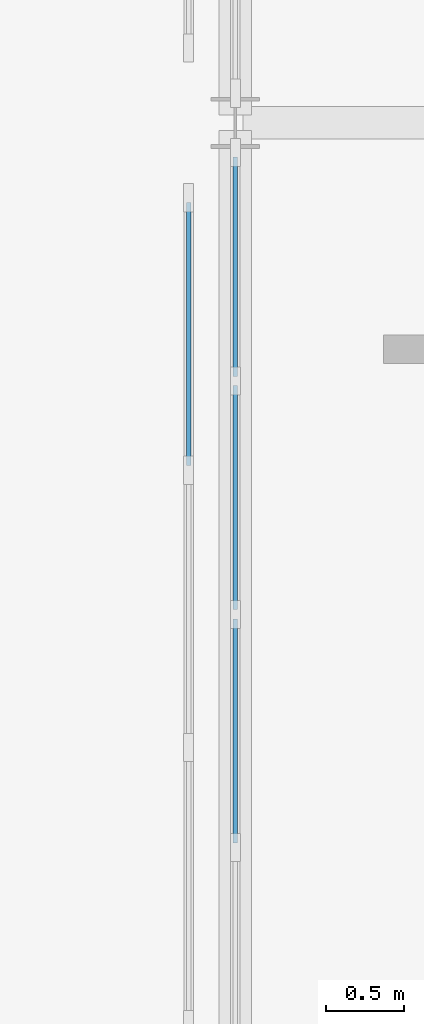
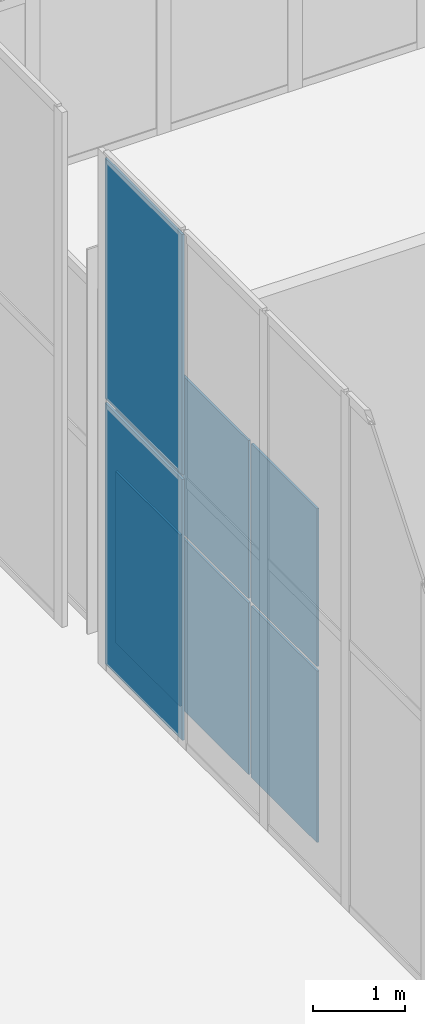
# One storey, part 67 of 103: 8 plates, 2 elements without a shape of their own.
"""IFC4 building model written with IfcOpenShell, lengths in metres."""

from ifc_helpers import new_model, si_unit, direction, frame, origin, origin_2d, place, context, subcontext, project, spatial, rectangle, extrude, material, layer, layer_set, type_object, element, aggregate, save


model = new_model("IFC4")

# Units and contexts
model_context = context("Model", 3, precision=1e-05, world=origin(), true_north=direction((0.0, 1.0)))
body_context = subcontext(model_context, "Body", "Model", "MODEL_VIEW")
ifc_project = project(units=[si_unit("LENGTHUNIT", "METRE"), si_unit("AREAUNIT", "SQUARE_METRE"), si_unit("VOLUMEUNIT", "CUBIC_METRE"), si_unit("PLANEANGLEUNIT", "RADIAN"), si_unit("MASSUNIT", "GRAM", prefix="KILO")], contexts=[model_context])

# Site, building, storey
site_placement = place(None, origin())
site = spatial("IfcSite", under=ifc_project, at=site_placement, CompositionType="ELEMENT")
building_placement = place(site_placement, origin())
building = spatial("IfcBuilding", under=site, at=building_placement, Name="Marnock Terrace Opera House", CompositionType="ELEMENT")
storey_placement = place(building_placement, origin())
storey = spatial("IfcBuildingStorey", under=building, at=storey_placement, Name="L00", CompositionType="ELEMENT", Elevation=0.0)

# Curtain wall, plates
ifc_material_1 = material(Name="Anodised architectural bronze aluminium framing", Category="aluminium")
ifc_layer_1 = layer(ifc_material_1, 0.159912109375)
ifc_layer_set_1 = layer_set([ifc_layer_1], Name="Anodised architectural bronze aluminium framing")
curtain_wall_type_1 = type_object("IfcCurtainWallType", Name="CW-LOGGIA-86x51", PredefinedType="NOTDEFINED", material=ifc_layer_set_1)
curtain_wall_1_placement = place(storey_placement, origin())
curtain_wall_1 = element("IfcCurtainWall", 1, at=curtain_wall_1_placement, inside=storey, type_object=curtain_wall_type_1, Name="L00 glazed Beaux-Arts colonnade curtain wall CW-V5-L00-W3", PredefinedType="NOTDEFINED")
ifc_material_2 = material(Name="Double-glazed acoustic low-E laminated glass", Category="glass")
ifc_layer_2 = layer(ifc_material_2, 0.028076171875)
ifc_layer_set_2 = layer_set([ifc_layer_2], Name="Double-glazed acoustic low-E laminated glass")
plate_type = type_object("IfcPlateType", Name="CWP-GLZ-28", PredefinedType="CURTAIN_PANEL", material=ifc_layer_set_2)
plate_1_placement = place(storey_placement, frame((118.0, 28.105712890625, 0.06005859375), z_axis=(0.0, 0.0, 1.0), x_axis=(0.0, 1.0, 0.0)))
plate_1 = element("IfcPlate", 2, at=plate_1_placement, type_object=plate_type, Name="CW-96 panel 3.1", PredefinedType="CURTAIN_PANEL", context=body_context, shape_type="SweptSolid", body=[
    extrude(rectangle(XDim=1.433837890625, YDim=0.028076171875, at=origin_2d()), origin(), (0.0, 0.0, 1.0), 2.2822265625),
])
plate_2_placement = place(storey_placement, frame((118.0, 28.105712890625, 2.40234375), z_axis=(0.0, 0.0, 1.0), x_axis=(0.0, 1.0, 0.0)))
plate_2 = element("IfcPlate", 3, at=plate_2_placement, type_object=plate_type, Name="CW-96 panel 3.2", PredefinedType="CURTAIN_PANEL", context=body_context, shape_type="SweptSolid", body=[
    extrude(rectangle(XDim=1.433837890625, YDim=0.028076171875, at=origin_2d()), origin(), (0.0, 0.0, 1.0), 2.099853515625),
])
plate_3_placement = place(storey_placement, frame((118.0, 29.599609375, 0.06005859375), z_axis=(0.0, 0.0, 1.0), x_axis=(0.0, 1.0, 0.0)))
plate_3 = element("IfcPlate", 4, at=plate_3_placement, type_object=plate_type, Name="CW-96 panel 4.1", PredefinedType="CURTAIN_PANEL", context=body_context, shape_type="SweptSolid", body=[
    extrude(rectangle(XDim=1.433837890625, YDim=0.028076171875, at=origin_2d()), origin(), (0.0, 0.0, 1.0), 2.2822265625),
])
plate_4_placement = place(storey_placement, frame((118.0, 29.599609375, 2.40234375), z_axis=(0.0, 0.0, 1.0), x_axis=(0.0, 1.0, 0.0)))
plate_4 = element("IfcPlate", 5, at=plate_4_placement, type_object=plate_type, Name="CW-96 panel 4.2", PredefinedType="CURTAIN_PANEL", context=body_context, shape_type="SweptSolid", body=[
    extrude(rectangle(XDim=1.433837890625, YDim=0.028076171875, at=origin_2d()), origin(), (0.0, 0.0, 1.0), 2.099853515625),
])
plate_5_placement = place(storey_placement, frame((118.0, 31.078369140625, 0.06005859375), z_axis=(0.0, 0.0, 1.0), x_axis=(0.0, 1.0, 0.0)))
plate_5 = element("IfcPlate", 6, at=plate_5_placement, type_object=plate_type, Name="CW-96 panel 5.1", PredefinedType="CURTAIN_PANEL", context=body_context, shape_type="SweptSolid", body=[
    extrude(rectangle(XDim=1.40380859375, YDim=0.028076171875, at=origin_2d()), origin(), (0.0, 0.0, 1.0), 2.2822265625),
])
plate_6_placement = place(storey_placement, frame((118.0, 31.078369140625, 2.40234375), z_axis=(0.0, 0.0, 1.0), x_axis=(0.0, 1.0, 0.0)))
plate_6 = element("IfcPlate", 7, at=plate_6_placement, type_object=plate_type, Name="CW-96 panel 5.2", PredefinedType="CURTAIN_PANEL", context=body_context, shape_type="SweptSolid", body=[
    extrude(rectangle(XDim=1.40380859375, YDim=0.028076171875, at=origin_2d()), origin(), (0.0, 0.0, 1.0), 2.099853515625),
])
aggregate(curtain_wall_1, [plate_1, plate_2, plate_3, plate_4, plate_5, plate_6])

ifc_layer_3 = layer(ifc_material_1, 0.159912109375)
ifc_layer_set_3 = layer_set([ifc_layer_3], Name="Anodised architectural bronze aluminium framing")
curtain_wall_type_2 = type_object("IfcCurtainWallType", Name="CW-PASSAGE-71x68", PredefinedType="NOTDEFINED", material=ifc_layer_set_3)
curtain_wall_2_placement = place(storey_placement, origin())
curtain_wall_2 = element("IfcCurtainWall", 8, at=curtain_wall_2_placement, inside=storey, type_object=curtain_wall_type_2, Name="L00 glazed Beaux-Arts colonnade curtain wall CW-PASSAGE-L00-03", PredefinedType="NOTDEFINED")
plate_7_placement = place(storey_placement, frame((117.699951171875, 30.6474609375, 0.06005859375), z_axis=(0.0, 0.0, 1.0), x_axis=(0.0, 1.0, 0.0)))
plate_7 = element("IfcPlate", 9, at=plate_7_placement, type_object=plate_type, Name="CW-33 panel 4.1", PredefinedType="CURTAIN_PANEL", context=body_context, shape_type="SweptSolid", body=[
    extrude(rectangle(XDim=1.68505859375, YDim=0.028076171875, at=origin_2d()), origin(), (0.0, 0.0, 1.0), 3.471923828125),
])
plate_8_placement = place(storey_placement, frame((117.699951171875, 30.6474609375, 3.591796875), z_axis=(0.0, 0.0, 1.0), x_axis=(0.0, 1.0, 0.0)))
plate_8 = element("IfcPlate", 10, at=plate_8_placement, type_object=plate_type, Name="CW-33 panel 4.2", PredefinedType="CURTAIN_PANEL", context=body_context, shape_type="SweptSolid", body=[
    extrude(rectangle(XDim=1.68505859375, YDim=0.028076171875, at=origin_2d()), origin(), (0.0, 0.0, 1.0), 3.197998046875),
])
aggregate(curtain_wall_2, [plate_7, plate_8])

save(model, "model.ifc")
